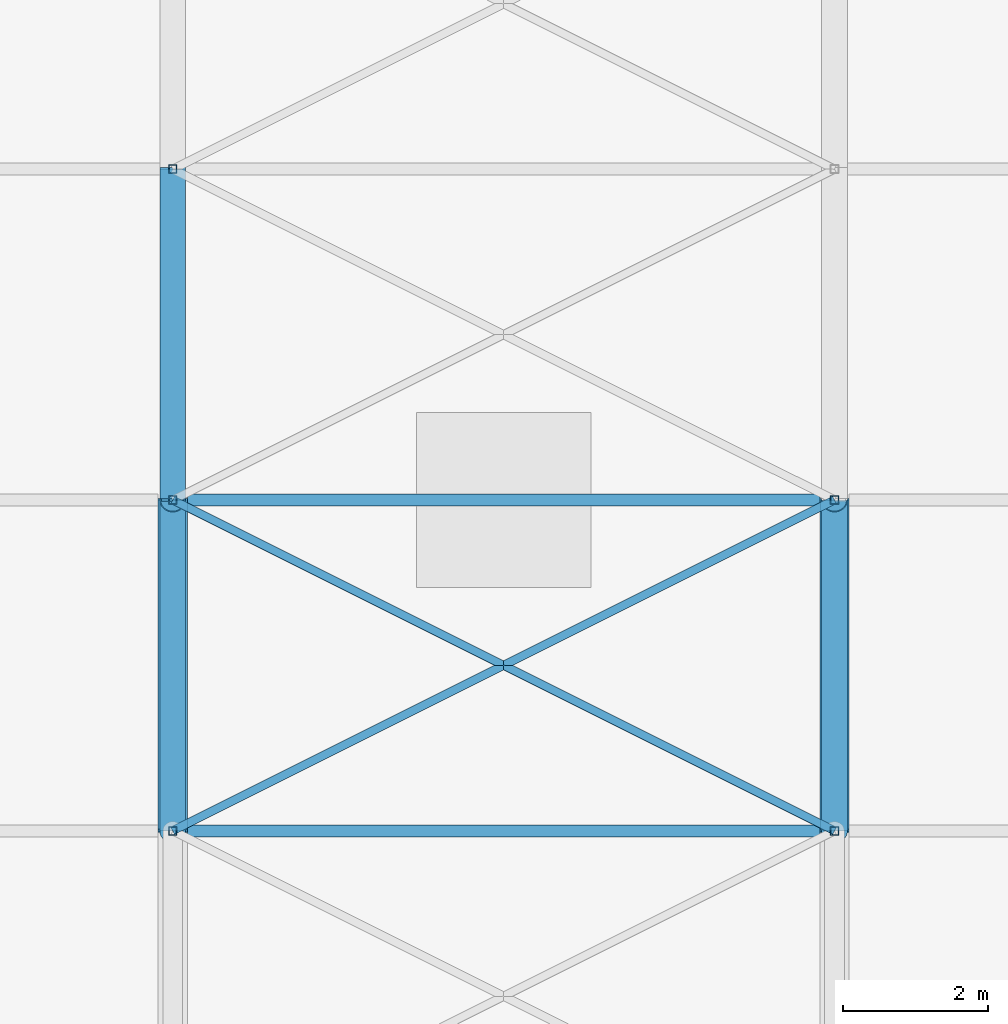
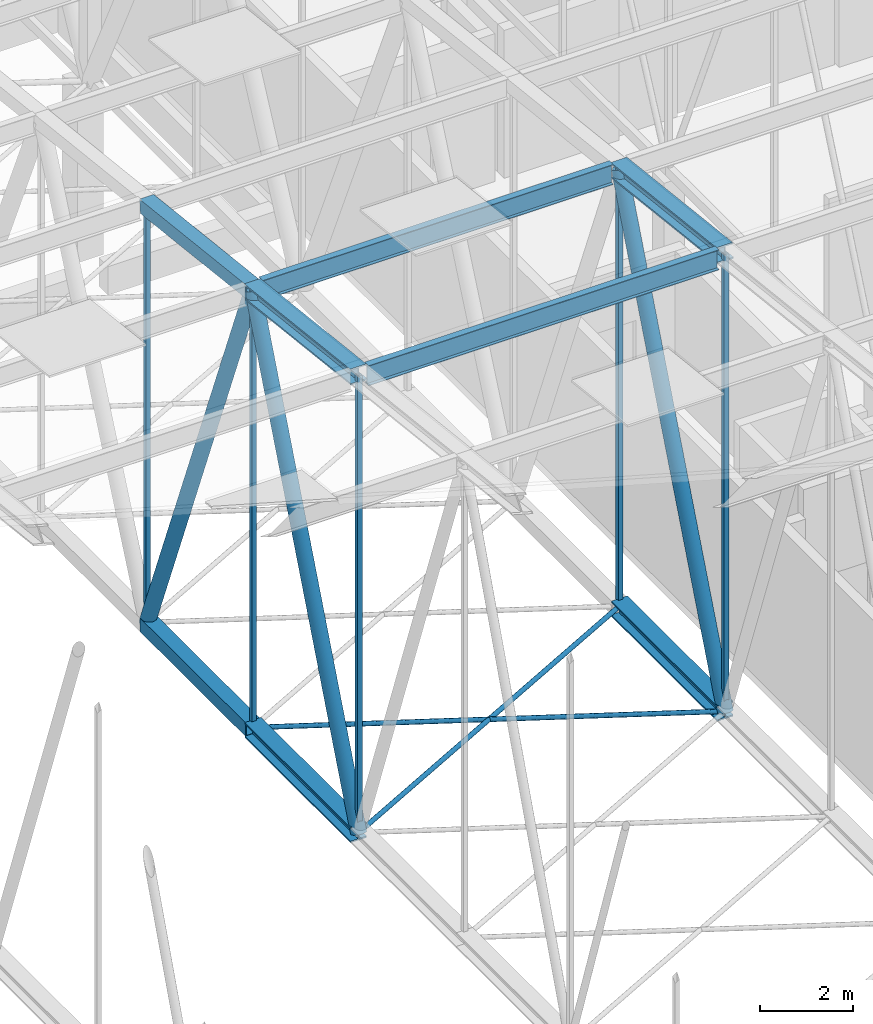
# One storey, part 284 of 500: 18 members.
"""IFC4 building model written with IfcOpenShell, lengths in metres."""

from ifc_helpers import new_model, si_unit, direction, frame, origin, origin_2d, place, context, subcontext, project, spatial, hollow_rectangle, hollow_circle, i_section, extrude, material, material_profile, profile_set, type_object, element, save


model = new_model("IFC4")

# Units and contexts
model_context = context("Model", 3, precision=1e-05, world=origin(), true_north=direction((0.0, 1.0)))
body_context = subcontext(model_context, "Body", "Model", "MODEL_VIEW")
ifc_project = project(units=[si_unit("LENGTHUNIT", "METRE"), si_unit("AREAUNIT", "SQUARE_METRE"), si_unit("VOLUMEUNIT", "CUBIC_METRE"), si_unit("PLANEANGLEUNIT", "RADIAN"), si_unit("MASSUNIT", "GRAM", prefix="KILO")], contexts=[model_context])

# Site, building, storey
site_placement = place(None, origin())
site = spatial("IfcSite", under=ifc_project, at=site_placement, CompositionType="ELEMENT")
building_placement = place(site_placement, origin())
building = spatial("IfcBuilding", under=site, at=building_placement, Name="Shirokan Park Arena", CompositionType="ELEMENT")
storey_placement = place(building_placement, frame((0.0, 0.0, 29.1201171875)))
storey = spatial("IfcBuildingStorey", under=building, at=storey_placement, Name="L06", CompositionType="ELEMENT", Elevation=29.1201171875)

# Members
ifc_material_1 = material(Name="Steel S355J2H", Category="steel")
ifc_material_profile_1 = material_profile(ifc_material_1, hollow_rectangle(XDim=0.35595703125, YDim=0.35595703125, WallThickness=0.025390625, at=origin_2d()), Name="HSS355.6X355.6X25.4")
ifc_profile_set_1 = profile_set([ifc_material_profile_1], Name="Steel S355J2H")
member_type_1 = type_object("IfcMemberType", Name="Bottom chord HSS355.6X355.6X25.4", PredefinedType="CHORD", material=ifc_profile_set_1)
member_1_placement = place(storey_placement, frame((91.0, 77.35009765625, 4.677001953125), z_axis=(0.0, 1.0, 0.0), x_axis=(-1.0, 0.0, 0.0)))
element("IfcMember", 1, at=member_1_placement, inside=storey, type_object=member_type_1, Name="Truss T11 bottom chord 20", PredefinedType="CHORD", context=body_context, shape_type="SweptSolid", body=[
    extrude(hollow_rectangle(XDim=0.35595703125, YDim=0.35595703125, WallThickness=0.025390625, at=origin_2d()), origin(), (0.0, 0.0, 1.0), 4.5498046875),
])
ifc_material_2 = material(Name="Steel ASTM A992", Category="steel")
ifc_material_profile_2 = material_profile(ifc_material_2, i_section(OverallWidth=0.40087890625, OverallDepth=0.39892578125, WebThickness=0.02490234375, FlangeThickness=0.03955078125, at=origin_2d()), Name="W360X314")
ifc_profile_set_2 = profile_set([ifc_material_profile_2], Name="Steel ASTM A992")
member_type_2 = type_object("IfcMemberType", Name="Bottom chord W360X314", PredefinedType="CHORD", material=ifc_profile_set_2)
for number, where, z_axis, x_axis, name in (
    (2, (91.0, 72.800048828125, 4.677001953125), (0.0, 1.0, 0.0), (-1.0, 0.0, 0.0), "Truss T11 bottom chord 19"),
    (3, (100.10009765625, 72.800048828125, 4.677001953125), (0.0, 1.0, 0.0), (-1.0, 0.0, 0.0), "Truss T12 bottom chord 19"),
):
    element("IfcMember", number, at=place(storey_placement, frame(where, z_axis=z_axis, x_axis=x_axis)), inside=storey, type_object=member_type_2, Name=name, PredefinedType="CHORD", context=body_context, shape_type="SweptSolid", body=[
        extrude(i_section(OverallWidth=0.40087890625, OverallDepth=0.39892578125, WebThickness=0.02490234375, FlangeThickness=0.03955078125, at=origin_2d()), origin(), (0.0, 0.0, 1.0), 4.550048828125),
    ])
ifc_material_3 = material(Name="Steel ASTM A500 Grade C", Category="steel")
ifc_material_profile_3 = material_profile(ifc_material_3, hollow_circle(Radius=0.056884765625, WallThickness=0.006103515625, at=origin_2d()), Name="HSS114.3X6")
ifc_profile_set_3 = profile_set([ifc_material_profile_3], Name="Steel ASTM A500 Grade C")
member_type_3 = type_object("IfcMemberType", Name="Plan bracing HSS114.3X6", PredefinedType="BRACE", material=ifc_profile_set_3)
for number, where, z_axis, x_axis, name in (
    (4, (91.0, 72.800048828125, 4.677001953125), (0.894427191, 0.4472135955, 0.0), (-0.4472135955, 0.894427191, 0.0), "Plan bracing bay 11 panel 19 A"),
    (5, (100.10009765625, 72.800048828125, 4.677001953125), (-0.894427191, 0.4472135955, 0.0), (-0.4472135955, -0.894427191, 0.0), "Plan bracing bay 11 panel 19 B"),
):
    element("IfcMember", number, at=place(storey_placement, frame(where, z_axis=z_axis, x_axis=x_axis)), inside=storey, type_object=member_type_3, Name=name, PredefinedType="BRACE", context=body_context, shape_type="SweptSolid", body=[
        extrude(hollow_circle(Radius=0.056884765625, WallThickness=0.006103515625, at=origin_2d()), origin(), (0.0, 0.0, 1.0), 10.17431640625),
    ])
ifc_material_profile_4 = material_profile(ifc_material_2, i_section(OverallWidth=0.166015625, OverallDepth=0.528076171875, WebThickness=0.009765625, FlangeThickness=0.013671875, at=origin_2d()), Name="W530X74")
ifc_profile_set_4 = profile_set([ifc_material_profile_4], Name="Steel ASTM A992")
member_type_4 = type_object("IfcMemberType", Name="Purlin W530X74", PredefinedType="PURLIN", material=ifc_profile_set_4)
for number, where, z_axis, x_axis, name in (
    (6, (91.200439453125, 72.800048828125, 16.64599609375), (1.0, 0.0, 0.0), (0.0, 1.0, 0.0), "Purlin 19 bay 11"),
    (7, (91.200439453125, 77.35009765625, 16.1259765625), (1.0, 0.0, 0.0), (0.0, 1.0, 0.0), "Purlin 20 bay 11"),
):
    element("IfcMember", number, at=place(storey_placement, frame(where, z_axis=z_axis, x_axis=x_axis)), inside=storey, type_object=member_type_4, Name=name, PredefinedType="PURLIN", context=body_context, shape_type="SweptSolid", body=[
        extrude(i_section(OverallWidth=0.166015625, OverallDepth=0.528076171875, WebThickness=0.009765625, FlangeThickness=0.013671875, at=origin_2d()), origin(), (0.0, 0.0, 1.0), 8.698974609375),
    ])
ifc_material_profile_5 = material_profile(ifc_material_1, hollow_rectangle(XDim=0.35595703125, YDim=0.35595703125, WallThickness=0.025390625, at=origin_2d()), Name="HSS355.6X355.6X25.4")
ifc_profile_set_5 = profile_set([ifc_material_profile_5], Name="Steel S355J2H")
member_type_5 = type_object("IfcMemberType", Name="Top chord HSS355.6X355.6X25.4", PredefinedType="CHORD", material=ifc_profile_set_5)
member_2_placement = place(storey_placement, frame((91.0, 77.35009765625, 16.181396484375), z_axis=(0.0, 0.993531641592, -0.11355561261), x_axis=(-1.0, 0.0, 0.0)))
element("IfcMember", 8, at=member_2_placement, inside=storey, type_object=member_type_5, Name="Truss T11 top chord 20", PredefinedType="CHORD", context=body_context, shape_type="SweptSolid", body=[
    extrude(hollow_rectangle(XDim=0.35595703125, YDim=0.35595703125, WallThickness=0.025390625, at=origin_2d()), origin(), (0.0, 0.0, 1.0), 4.579345703125),
])
ifc_material_profile_6 = material_profile(ifc_material_2, i_section(OverallWidth=0.40087890625, OverallDepth=0.39892578125, WebThickness=0.02490234375, FlangeThickness=0.03955078125, at=origin_2d()), Name="W360X314")
ifc_profile_set_6 = profile_set([ifc_material_profile_6], Name="Steel ASTM A992")
member_type_6 = type_object("IfcMemberType", Name="Top chord W360X314", PredefinedType="CHORD", material=ifc_profile_set_6)
for number, where, z_axis, x_axis, name in (
    (9, (91.0, 72.800048828125, 16.701416015625), (0.0, 0.993532328996, -0.113549598152), (-1.0, 0.0, 0.0), "Truss T11 top chord 19"),
    (10, (100.10009765625, 72.800048828125, 16.701416015625), (0.0, 0.993532328996, -0.113549598152), (-1.0, 0.0, 0.0), "Truss T12 top chord 19"),
):
    element("IfcMember", number, at=place(storey_placement, frame(where, z_axis=z_axis, x_axis=x_axis)), inside=storey, type_object=member_type_6, Name=name, PredefinedType="CHORD", context=body_context, shape_type="SweptSolid", body=[
        extrude(i_section(OverallWidth=0.40087890625, OverallDepth=0.39892578125, WebThickness=0.02490234375, FlangeThickness=0.03955078125, at=origin_2d()), origin(), (0.0, 0.0, 1.0), 4.57958984375),
    ])
ifc_material_profile_7 = material_profile(ifc_material_3, hollow_circle(Radius=0.177978515625, WallThickness=0.0126953125, at=origin_2d()), Name="HSS355.6X12.7")
ifc_profile_set_7 = profile_set([ifc_material_profile_7], Name="Steel ASTM A500 Grade C")
member_type_7 = type_object("IfcMemberType", Name="Truss diagonal HSS355.6X12.7", PredefinedType="BRACE", material=ifc_profile_set_7)
member_3_placement = place(storey_placement, frame((91.0, 72.800048828125, 4.677001953125), z_axis=(0.0, 0.367784702528, 0.929910970248), x_axis=(-1.0, 0.0, 0.0)))
element("IfcMember", 11, at=member_3_placement, inside=storey, type_object=member_type_7, Name="Truss T11 diagonal 19", PredefinedType="BRACE", context=body_context, shape_type="SweptSolid", body=[
    extrude(hollow_circle(Radius=0.177978515625, WallThickness=0.0126953125, at=origin_2d()), origin(), (0.0, 0.0, 1.0), 12.37158203125),
])
member_4_placement = place(storey_placement, frame((91.0, 77.35009765625, 16.181396484375), z_axis=(0.0, 0.367767637573, -0.929917719346), x_axis=(-1.0, 0.0, 0.0)))
element("IfcMember", 12, at=member_4_placement, inside=storey, type_object=member_type_7, Name="Truss T11 diagonal 20", PredefinedType="BRACE", context=body_context, shape_type="SweptSolid", body=[
    extrude(hollow_circle(Radius=0.177978515625, WallThickness=0.0126953125, at=origin_2d()), origin(), (0.0, 0.0, 1.0), 12.371337890625),
])
member_5_placement = place(storey_placement, frame((100.10009765625, 72.800048828125, 4.677001953125), z_axis=(0.0, 0.367784702528, 0.929910970248), x_axis=(-1.0, 0.0, 0.0)))
element("IfcMember", 13, at=member_5_placement, inside=storey, type_object=member_type_7, Name="Truss T12 diagonal 19", PredefinedType="BRACE", context=body_context, shape_type="SweptSolid", body=[
    extrude(hollow_circle(Radius=0.177978515625, WallThickness=0.0126953125, at=origin_2d()), origin(), (0.0, 0.0, 1.0), 12.37158203125),
])
ifc_material_profile_8 = material_profile(ifc_material_3, hollow_rectangle(XDim=0.114013671875, YDim=0.114013671875, WallThickness=0.00634765625, at=origin_2d()), Name="HSS114.3X114.3X6.4")
ifc_profile_set_8 = profile_set([ifc_material_profile_8], Name="Steel ASTM A500 Grade C")
member_type_8 = type_object("IfcMemberType", Name="Truss post HSS114.3X114.3X6.4", PredefinedType="POST", material=ifc_profile_set_8)
member_6_placement = place(storey_placement, frame((91.0, 72.800048828125, 4.677001953125), z_axis=(0.0, 0.0, 1.0), x_axis=(1.0, 0.0, 0.0)))
element("IfcMember", 14, at=member_6_placement, inside=storey, type_object=member_type_8, Name="Truss T11 post 19", PredefinedType="POST", context=body_context, shape_type="SweptSolid", body=[
    extrude(hollow_rectangle(XDim=0.114013671875, YDim=0.114013671875, WallThickness=0.00634765625, at=origin_2d()), origin(), (0.0, 0.0, 1.0), 12.0244140625),
])
member_7_placement = place(storey_placement, frame((91.0, 77.35009765625, 4.677001953125), z_axis=(0.0, 0.0, 1.0), x_axis=(1.0, 0.0, 0.0)))
element("IfcMember", 15, at=member_7_placement, inside=storey, type_object=member_type_8, Name="Truss T11 post 20", PredefinedType="POST", context=body_context, shape_type="SweptSolid", body=[
    extrude(hollow_rectangle(XDim=0.114013671875, YDim=0.114013671875, WallThickness=0.00634765625, at=origin_2d()), origin(), (0.0, 0.0, 1.0), 11.50439453125),
])
member_8_placement = place(storey_placement, frame((91.0, 81.89990234375, 4.677001953125), z_axis=(0.0, 0.0, 1.0), x_axis=(1.0, 0.0, 0.0)))
element("IfcMember", 16, at=member_8_placement, inside=storey, type_object=member_type_8, Name="Truss T11 post 21", PredefinedType="POST", context=body_context, shape_type="SweptSolid", body=[
    extrude(hollow_rectangle(XDim=0.114013671875, YDim=0.114013671875, WallThickness=0.00634765625, at=origin_2d()), origin(), (0.0, 0.0, 1.0), 10.984375),
])
member_9_placement = place(storey_placement, frame((100.10009765625, 72.800048828125, 4.677001953125), z_axis=(0.0, 0.0, 1.0), x_axis=(1.0, 0.0, 0.0)))
element("IfcMember", 17, at=member_9_placement, inside=storey, type_object=member_type_8, Name="Truss T12 post 19", PredefinedType="POST", context=body_context, shape_type="SweptSolid", body=[
    extrude(hollow_rectangle(XDim=0.114013671875, YDim=0.114013671875, WallThickness=0.00634765625, at=origin_2d()), origin(), (0.0, 0.0, 1.0), 12.0244140625),
])
member_10_placement = place(storey_placement, frame((100.10009765625, 77.35009765625, 4.677001953125), z_axis=(0.0, 0.0, 1.0), x_axis=(1.0, 0.0, 0.0)))
element("IfcMember", 18, at=member_10_placement, inside=storey, type_object=member_type_8, Name="Truss T12 post 20", PredefinedType="POST", context=body_context, shape_type="SweptSolid", body=[
    extrude(hollow_rectangle(XDim=0.114013671875, YDim=0.114013671875, WallThickness=0.00634765625, at=origin_2d()), origin(), (0.0, 0.0, 1.0), 11.50439453125),
])

save(model, "model.ifc")
